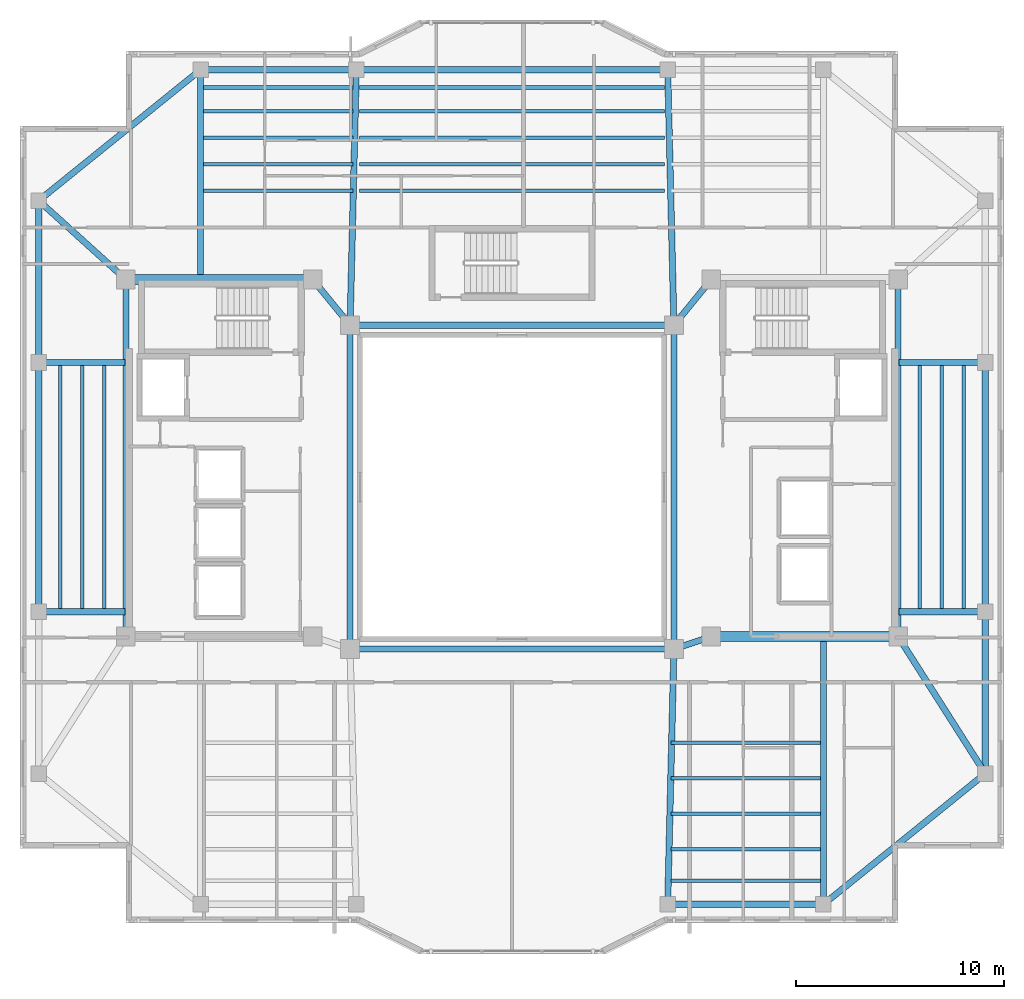
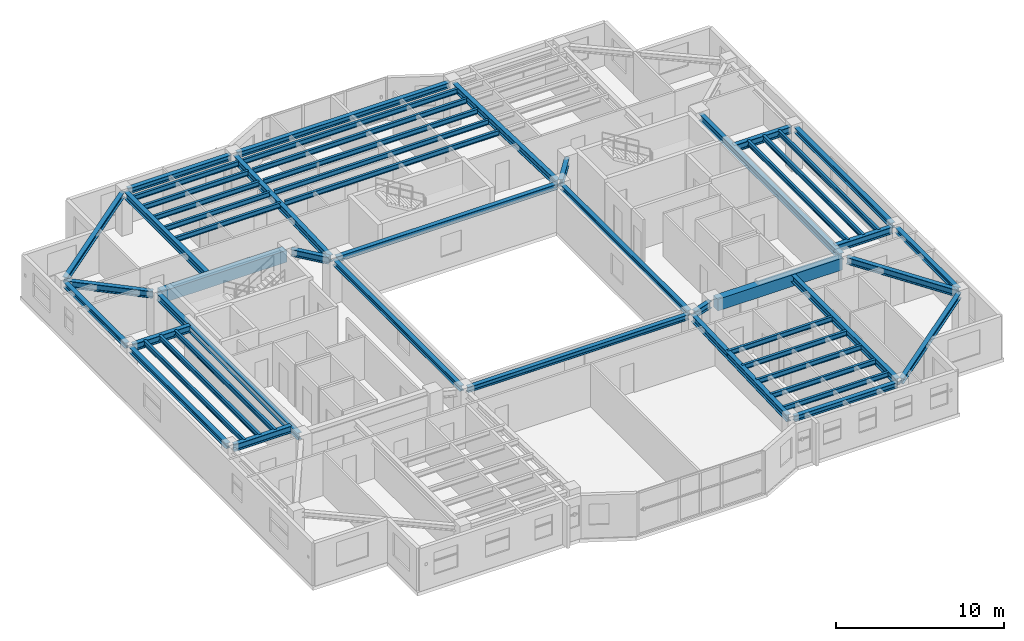
# One storey, part 3 of 13: 52 beams.
"""IFC4 building model written with IfcOpenShell, lengths in metres."""

from ifc_helpers import new_model, si_unit, direction, frame, origin, origin_2d, place, context, subcontext, project, spatial, rectangle, i_section, extrude, material, material_profile, profile_set, type_object, element, save


model = new_model("IFC4")

# Units and contexts
model_context = context("Model", 3, precision=1e-05, world=origin(), true_north=direction((0.0, 1.0)))
body_context = subcontext(model_context, "Body", "Model", "MODEL_VIEW")
ifc_project = project(units=[si_unit("LENGTHUNIT", "METRE"), si_unit("AREAUNIT", "SQUARE_METRE"), si_unit("VOLUMEUNIT", "CUBIC_METRE"), si_unit("PLANEANGLEUNIT", "RADIAN"), si_unit("MASSUNIT", "GRAM", prefix="KILO")], contexts=[model_context])

# Site, building, storey
site_placement = place(None, origin())
site = spatial("IfcSite", under=ifc_project, at=site_placement, CompositionType="ELEMENT")
building_placement = place(site_placement, origin())
building = spatial("IfcBuilding", under=site, at=building_placement, Name="Tarnavaz Court Tower", CompositionType="ELEMENT")
storey_placement = place(building_placement, frame((0.0, 0.0, 196.949951171875)))
storey = spatial("IfcBuildingStorey", under=building, at=storey_placement, Name="L53", CompositionType="ELEMENT", Elevation=196.949951171875)

# Beams
ifc_material_1 = material(Name="Concrete C50/60", Category="concrete")
ifc_material_profile_1 = material_profile(ifc_material_1, rectangle(XDim=0.5, YDim=0.85009765625, at=origin_2d()), Name="RC 500X850")
ifc_profile_set_1 = profile_set([ifc_material_profile_1], Name="Concrete C50/60")
beam_type_1 = type_object("IfcBeamType", Name="BM-CB850", PredefinedType="LINTEL", material=ifc_profile_set_1)
for number, where, z_axis, x_axis, name in (
    (1, (-18.3798828125, 10.0, 2.675048828125), (1.0, 0.0, 0.0), (0.0, 1.0, 0.0), "L53 Beam IN-CW-NO-CW-NI"),
    (2, (18.3798828125, -7.199951171875, 2.675048828125), (-1.0, 0.0, 0.0), (0.0, -1.0, 0.0), "L53 Beam IN-CE-SO-CE-SI"),
):
    element("IfcBeam", number, at=place(storey_placement, frame(where, z_axis=z_axis, x_axis=x_axis)), inside=storey, type_object=beam_type_1, Name=name, PredefinedType="LINTEL", context=body_context, shape_type="SweptSolid", body=[
        extrude(rectangle(XDim=0.5, YDim=0.85009765625, at=origin_2d()), origin(), (0.0, 0.0, 1.0), 8.559814453125),
    ])
ifc_material_2 = material(Name="Steel S355", Category="steel")
ifc_material_profile_2 = material_profile(ifc_material_2, i_section(OverallWidth=0.300048828125, OverallDepth=0.5, WebThickness=0.014404296875, FlangeThickness=0.028076171875, FilletRadius=0.027099609375, at=origin_2d()), Name="HEB 500")
ifc_profile_set_2 = profile_set([ifc_material_profile_2], Name="Steel S355")
beam_type_2 = type_object("IfcBeamType", Name="BM-G-HEB500", PredefinedType="USERDEFINED", material=ifc_profile_set_2)
beam_1_placement = place(storey_placement, frame((9.391357421875, -7.26953125, 2.85009765625), z_axis=(-0.948666544706, -0.316278021615, 0.0), x_axis=(0.316278021615, -0.948666544706, 0.0)))
element("IfcBeam", 3, at=beam_1_placement, inside=storey, type_object=beam_type_2, Name="L53 Beam IN-CE-SI-IW-SE", ObjectType="GIRDER", PredefinedType="USERDEFINED", context=body_context, shape_type="SweptSolid", body=[
    extrude(i_section(OverallWidth=0.300048828125, OverallDepth=0.5, WebThickness=0.014404296875, FlangeThickness=0.028076171875, FilletRadius=0.027099609375, at=origin_2d()), origin(), (0.0, 0.0, 1.0), 1.457275390625),
])
for number, where, z_axis, x_axis, name in (
    (4, (-9.460693359375, 9.82958984375, 2.85009765625), (0.633282058357, -0.773921077735, 0.0), (0.773921077735, 0.633282058357, 0.0), "L53 Beam IN-CW-NI-IW-NW"),
    (5, (9.460693359375, 9.82958984375, 2.85009765625), (-0.633282058357, -0.773921077735, 0.0), (0.773921077735, -0.633282058357, 0.0), "L53 Beam IN-CE-NI-IW-NE"),
):
    element("IfcBeam", number, at=place(storey_placement, frame(where, z_axis=z_axis, x_axis=x_axis)), inside=storey, type_object=beam_type_2, Name=name, ObjectType="GIRDER", PredefinedType="USERDEFINED", context=body_context, shape_type="SweptSolid", body=[
        extrude(i_section(OverallWidth=0.300048828125, OverallDepth=0.5, WebThickness=0.014404296875, FlangeThickness=0.028076171875, FilletRadius=0.027099609375, at=origin_2d()), origin(), (0.0, 0.0, 1.0), 2.402587890625),
    ])
for number, where, z_axis, x_axis, name in (
    (6, (-18.60009765625, -6.97998046875, 2.85009765625), (0.0, 1.0, 0.0), (-1.0, 0.0, 0.0), "L53 Beam IN-CW-SO-CW-NO"),
    (7, (18.60009765625, -6.97998046875, 2.85009765625), (0.0, 1.0, 0.0), (-1.0, 0.0, 0.0), "L53 Beam IN-CE-SO-CE-NO"),
):
    element("IfcBeam", number, at=place(storey_placement, frame(where, z_axis=z_axis, x_axis=x_axis)), inside=storey, type_object=beam_type_2, Name=name, ObjectType="GIRDER", PredefinedType="USERDEFINED", context=body_context, shape_type="SweptSolid", body=[
        extrude(i_section(OverallWidth=0.300048828125, OverallDepth=0.5, WebThickness=0.014404296875, FlangeThickness=0.028076171875, FilletRadius=0.027099609375, at=origin_2d()), origin(), (0.0, 0.0, 1.0), 16.760009765625),
    ])
beam_2_placement = place(storey_placement, frame((-15.0, 10.0400390625, 2.85009765625), z_axis=(0.0, 1.0, 0.0), x_axis=(-1.0, 0.0, 0.0)))
element("IfcBeam", 8, at=beam_2_placement, inside=storey, type_object=beam_type_2, Name="L53 Beam RG-01", ObjectType="GIRDER", PredefinedType="USERDEFINED", context=body_context, shape_type="SweptSolid", body=[
    extrude(i_section(OverallWidth=0.300048828125, OverallDepth=0.5, WebThickness=0.014404296875, FlangeThickness=0.028076171875, FilletRadius=0.027099609375, at=origin_2d()), origin(), (0.0, 0.0, 1.0), 9.83984375),
])
for number, where, z_axis, x_axis, name in (
    (9, (-7.794677734375, 8.02001953125, 2.85009765625), (0.024386002211, 0.99970261723, 0.0), (-0.99970261723, 0.024386002211, 0.0), "L53 Beam RG-02"),
    (10, (7.794677734375, 8.02001953125, 2.85009765625), (-0.024386002211, 0.99970261723, 0.0), (-0.99970261723, -0.024386002211, 0.0), "L53 Beam RG-03"),
    (11, (7.794677734375, -8.02001953125, 2.85009765625), (-0.024386002211, -0.99970261723, 0.0), (0.99970261723, -0.024386002211, 0.0), "L53 Beam RG-07"),
):
    element("IfcBeam", number, at=place(storey_placement, frame(where, z_axis=z_axis, x_axis=x_axis)), inside=storey, type_object=beam_type_2, Name=name, ObjectType="GIRDER", PredefinedType="USERDEFINED", context=body_context, shape_type="SweptSolid", body=[
        extrude(i_section(OverallWidth=0.300048828125, OverallDepth=0.5, WebThickness=0.014404296875, FlangeThickness=0.028076171875, FilletRadius=0.027099609375, at=origin_2d()), origin(), (0.0, 0.0, 1.0), 11.863525390625),
    ])
beam_3_placement = place(storey_placement, frame((15.0, -7.239990234375, 2.85009765625), z_axis=(0.0, -1.0, 0.0), x_axis=(1.0, 0.0, 0.0)))
element("IfcBeam", 12, at=beam_3_placement, inside=storey, type_object=beam_type_2, Name="L53 Beam RG-08", ObjectType="GIRDER", PredefinedType="USERDEFINED", context=body_context, shape_type="SweptSolid", body=[
    extrude(i_section(OverallWidth=0.300048828125, OverallDepth=0.5, WebThickness=0.014404296875, FlangeThickness=0.028076171875, FilletRadius=0.027099609375, at=origin_2d()), origin(), (0.0, 0.0, 1.0), 12.639892578125),
])
for number, where, z_axis, x_axis, name in (
    (13, (18.639892578125, -6.0, 2.85009765625), (1.0, 0.0, 0.0), (0.0, 1.0, 0.0), "L53 Beam RG-09"),
    (14, (18.639892578125, 6.0, 2.85009765625), (1.0, 0.0, 0.0), (0.0, 1.0, 0.0), "L53 Beam RG-10"),
):
    element("IfcBeam", number, at=place(storey_placement, frame(where, z_axis=z_axis, x_axis=x_axis)), inside=storey, type_object=beam_type_2, Name=name, ObjectType="GIRDER", PredefinedType="USERDEFINED", context=body_context, shape_type="SweptSolid", body=[
        extrude(i_section(OverallWidth=0.300048828125, OverallDepth=0.5, WebThickness=0.014404296875, FlangeThickness=0.028076171875, FilletRadius=0.027099609375, at=origin_2d()), origin(), (0.0, 0.0, 1.0), 3.940185546875),
    ])
beam_4_placement = place(storey_placement, frame((18.718017578125, -7.385498046875, 2.85009765625), z_axis=(0.536871212964, -0.843664210863, 0.0), x_axis=(0.843664210863, 0.536871212964, 0.0)))
element("IfcBeam", 15, at=beam_4_placement, inside=storey, type_object=beam_type_2, Name="L53 Beam RG-11", ObjectType="GIRDER", PredefinedType="USERDEFINED", context=body_context, shape_type="SweptSolid", body=[
    extrude(i_section(OverallWidth=0.300048828125, OverallDepth=0.5, WebThickness=0.014404296875, FlangeThickness=0.028076171875, FilletRadius=0.027099609375, at=origin_2d()), origin(), (0.0, 0.0, 1.0), 7.38330078125),
])
for number, where, z_axis, x_axis, name in (
    (16, (-18.639892578125, -6.0, 2.85009765625), (-1.0, 0.0, 0.0), (0.0, -1.0, 0.0), "L53 Beam RG-13"),
    (17, (-18.639892578125, 6.0, 2.85009765625), (-1.0, 0.0, 0.0), (0.0, -1.0, 0.0), "L53 Beam RG-14"),
):
    element("IfcBeam", number, at=place(storey_placement, frame(where, z_axis=z_axis, x_axis=x_axis)), inside=storey, type_object=beam_type_2, Name=name, ObjectType="GIRDER", PredefinedType="USERDEFINED", context=body_context, shape_type="SweptSolid", body=[
        extrude(i_section(OverallWidth=0.300048828125, OverallDepth=0.5, WebThickness=0.014404296875, FlangeThickness=0.028076171875, FilletRadius=0.027099609375, at=origin_2d()), origin(), (0.0, 0.0, 1.0), 3.940185546875),
    ])
beam_5_placement = place(storey_placement, frame((-18.76318359375, 10.147705078125, 2.85009765625), z_axis=(-0.741555708494, 0.670891296113, 0.0), x_axis=(-0.670891296113, -0.741555708494, 0.0)))
element("IfcBeam", 18, at=beam_5_placement, inside=storey, type_object=beam_type_2, Name="L53 Beam RG-16", ObjectType="GIRDER", PredefinedType="USERDEFINED", context=body_context, shape_type="SweptSolid", body=[
    extrude(i_section(OverallWidth=0.300048828125, OverallDepth=0.5, WebThickness=0.014404296875, FlangeThickness=0.028076171875, FilletRadius=0.027099609375, at=origin_2d()), origin(), (0.0, 0.0, 1.0), 5.223876953125),
])
ifc_material_profile_3 = material_profile(ifc_material_2, i_section(OverallWidth=0.169921875, OverallDepth=0.360107421875, WebThickness=0.008056640625, FlangeThickness=0.0126953125, FilletRadius=0.01806640625, at=origin_2d()), Name="IPE 360")
ifc_profile_set_3 = profile_set([ifc_material_profile_3], Name="Steel S355")
beam_type_3 = type_object("IfcBeamType", Name="BM-J-IPE360", PredefinedType="JOIST", material=ifc_profile_set_3)
beam_6_placement = place(storey_placement, frame((-14.85009765625, 14.278076171875, 2.920166015625), z_axis=(1.0, 0.0, 0.0), x_axis=(0.0, 1.0, 0.0)))
element("IfcBeam", 19, at=beam_6_placement, inside=storey, type_object=beam_type_3, Name="L53 Beam JN1-1", PredefinedType="JOIST", context=body_context, shape_type="SweptSolid", body=[
    extrude(i_section(OverallWidth=0.169921875, OverallDepth=0.360107421875, WebThickness=0.008056640625, FlangeThickness=0.0126953125, FilletRadius=0.01806640625, at=origin_2d()), origin(), (0.0, 0.0, 1.0), 7.2001953125),
])
beam_7_placement = place(storey_placement, frame((-7.35009765625, 14.278076171875, 2.920166015625), z_axis=(1.0, 0.0, 0.0), x_axis=(0.0, 1.0, 0.0)))
element("IfcBeam", 20, at=beam_7_placement, inside=storey, type_object=beam_type_3, Name="L53 Beam JN1-2", PredefinedType="JOIST", context=body_context, shape_type="SweptSolid", body=[
    extrude(i_section(OverallWidth=0.169921875, OverallDepth=0.360107421875, WebThickness=0.008056640625, FlangeThickness=0.0126953125, FilletRadius=0.01806640625, at=origin_2d()), origin(), (0.0, 0.0, 1.0), 14.7001953125),
])
for number, where, z_axis, x_axis, name in (
    (21, (7.64990234375, -12.31005859375, 2.920166015625), (1.0, 0.0, 0.0), (0.0, 1.0, 0.0), "L53 Beam JS1-2"),
    (22, (-14.85009765625, 15.555908203125, 2.920166015625), (1.0, 0.0, 0.0), (0.0, 1.0, 0.0), "L53 Beam JN2-1"),
):
    element("IfcBeam", number, at=place(storey_placement, frame(where, z_axis=z_axis, x_axis=x_axis)), inside=storey, type_object=beam_type_3, Name=name, PredefinedType="JOIST", context=body_context, shape_type="SweptSolid", body=[
        extrude(i_section(OverallWidth=0.169921875, OverallDepth=0.360107421875, WebThickness=0.008056640625, FlangeThickness=0.0126953125, FilletRadius=0.01806640625, at=origin_2d()), origin(), (0.0, 0.0, 1.0), 7.2001953125),
    ])
beam_8_placement = place(storey_placement, frame((-7.35009765625, 15.555908203125, 2.920166015625), z_axis=(1.0, 0.0, 0.0), x_axis=(0.0, 1.0, 0.0)))
element("IfcBeam", 23, at=beam_8_placement, inside=storey, type_object=beam_type_3, Name="L53 Beam JN2-2", PredefinedType="JOIST", context=body_context, shape_type="SweptSolid", body=[
    extrude(i_section(OverallWidth=0.169921875, OverallDepth=0.360107421875, WebThickness=0.008056640625, FlangeThickness=0.0126953125, FilletRadius=0.01806640625, at=origin_2d()), origin(), (0.0, 0.0, 1.0), 14.7001953125),
])
for number, where, z_axis, x_axis, name in (
    (24, (7.64990234375, -14.02001953125, 2.920166015625), (1.0, 0.0, 0.0), (0.0, 1.0, 0.0), "L53 Beam JS2-2"),
    (25, (-14.85009765625, 16.833984375, 2.920166015625), (1.0, 0.0, 0.0), (0.0, 1.0, 0.0), "L53 Beam JN3-1"),
):
    element("IfcBeam", number, at=place(storey_placement, frame(where, z_axis=z_axis, x_axis=x_axis)), inside=storey, type_object=beam_type_3, Name=name, PredefinedType="JOIST", context=body_context, shape_type="SweptSolid", body=[
        extrude(i_section(OverallWidth=0.169921875, OverallDepth=0.360107421875, WebThickness=0.008056640625, FlangeThickness=0.0126953125, FilletRadius=0.01806640625, at=origin_2d()), origin(), (0.0, 0.0, 1.0), 7.2001953125),
    ])
beam_9_placement = place(storey_placement, frame((-7.35009765625, 16.833984375, 2.920166015625), z_axis=(1.0, 0.0, 0.0), x_axis=(0.0, 1.0, 0.0)))
element("IfcBeam", 26, at=beam_9_placement, inside=storey, type_object=beam_type_3, Name="L53 Beam JN3-2", PredefinedType="JOIST", context=body_context, shape_type="SweptSolid", body=[
    extrude(i_section(OverallWidth=0.169921875, OverallDepth=0.360107421875, WebThickness=0.008056640625, FlangeThickness=0.0126953125, FilletRadius=0.01806640625, at=origin_2d()), origin(), (0.0, 0.0, 1.0), 14.7001953125),
])
for number, where, z_axis, x_axis, name in (
    (27, (7.64990234375, -15.72998046875, 2.920166015625), (1.0, 0.0, 0.0), (0.0, 1.0, 0.0), "L53 Beam JS3-2"),
    (28, (-14.85009765625, 18.112060546875, 2.920166015625), (1.0, 0.0, 0.0), (0.0, 1.0, 0.0), "L53 Beam JN4-1"),
):
    element("IfcBeam", number, at=place(storey_placement, frame(where, z_axis=z_axis, x_axis=x_axis)), inside=storey, type_object=beam_type_3, Name=name, PredefinedType="JOIST", context=body_context, shape_type="SweptSolid", body=[
        extrude(i_section(OverallWidth=0.169921875, OverallDepth=0.360107421875, WebThickness=0.008056640625, FlangeThickness=0.0126953125, FilletRadius=0.01806640625, at=origin_2d()), origin(), (0.0, 0.0, 1.0), 7.2001953125),
    ])
beam_10_placement = place(storey_placement, frame((-7.35009765625, 18.112060546875, 2.920166015625), z_axis=(1.0, 0.0, 0.0), x_axis=(0.0, 1.0, 0.0)))
element("IfcBeam", 29, at=beam_10_placement, inside=storey, type_object=beam_type_3, Name="L53 Beam JN4-2", PredefinedType="JOIST", context=body_context, shape_type="SweptSolid", body=[
    extrude(i_section(OverallWidth=0.169921875, OverallDepth=0.360107421875, WebThickness=0.008056640625, FlangeThickness=0.0126953125, FilletRadius=0.01806640625, at=origin_2d()), origin(), (0.0, 0.0, 1.0), 14.7001953125),
])
for number, where, z_axis, x_axis, name in (
    (30, (7.64990234375, -17.43994140625, 2.920166015625), (1.0, 0.0, 0.0), (0.0, 1.0, 0.0), "L53 Beam JS4-2"),
    (31, (-14.85009765625, 19.248046875, 2.920166015625), (1.0, 0.0, 0.0), (0.0, 1.0, 0.0), "L53 Beam JN5-1"),
):
    element("IfcBeam", number, at=place(storey_placement, frame(where, z_axis=z_axis, x_axis=x_axis)), inside=storey, type_object=beam_type_3, Name=name, PredefinedType="JOIST", context=body_context, shape_type="SweptSolid", body=[
        extrude(i_section(OverallWidth=0.169921875, OverallDepth=0.360107421875, WebThickness=0.008056640625, FlangeThickness=0.0126953125, FilletRadius=0.01806640625, at=origin_2d()), origin(), (0.0, 0.0, 1.0), 7.2001953125),
    ])
beam_11_placement = place(storey_placement, frame((-7.35009765625, 19.248046875, 2.920166015625), z_axis=(1.0, 0.0, 0.0), x_axis=(0.0, 1.0, 0.0)))
element("IfcBeam", 32, at=beam_11_placement, inside=storey, type_object=beam_type_3, Name="L53 Beam JN5-2", PredefinedType="JOIST", context=body_context, shape_type="SweptSolid", body=[
    extrude(i_section(OverallWidth=0.169921875, OverallDepth=0.360107421875, WebThickness=0.008056640625, FlangeThickness=0.0126953125, FilletRadius=0.01806640625, at=origin_2d()), origin(), (0.0, 0.0, 1.0), 14.7001953125),
])
beam_12_placement = place(storey_placement, frame((7.64990234375, -18.9599609375, 2.920166015625), z_axis=(1.0, 0.0, 0.0), x_axis=(0.0, 1.0, 0.0)))
element("IfcBeam", 33, at=beam_12_placement, inside=storey, type_object=beam_type_3, Name="L53 Beam JS5-2", PredefinedType="JOIST", context=body_context, shape_type="SweptSolid", body=[
    extrude(i_section(OverallWidth=0.169921875, OverallDepth=0.360107421875, WebThickness=0.008056640625, FlangeThickness=0.0126953125, FilletRadius=0.01806640625, at=origin_2d()), origin(), (0.0, 0.0, 1.0), 7.2001953125),
])
for number, where, z_axis, x_axis, name in (
    (34, (19.64990234375, -5.9599609375, 2.920166015625), (0.0, 1.0, 0.0), (-1.0, 0.0, 0.0), "L53 Beam JE1"),
    (35, (-19.64990234375, -5.9599609375, 2.920166015625), (0.0, 1.0, 0.0), (-1.0, 0.0, 0.0), "L53 Beam JW1"),
    (36, (20.699951171875, -5.9599609375, 2.920166015625), (0.0, 1.0, 0.0), (-1.0, 0.0, 0.0), "L53 Beam JE2"),
    (37, (-20.699951171875, -5.9599609375, 2.920166015625), (0.0, 1.0, 0.0), (-1.0, 0.0, 0.0), "L53 Beam JW2"),
    (38, (21.75, -5.9599609375, 2.920166015625), (0.0, 1.0, 0.0), (-1.0, 0.0, 0.0), "L53 Beam JE3"),
    (39, (-21.75, -5.9599609375, 2.920166015625), (0.0, 1.0, 0.0), (-1.0, 0.0, 0.0), "L53 Beam JW3"),
):
    element("IfcBeam", number, at=place(storey_placement, frame(where, z_axis=z_axis, x_axis=x_axis)), inside=storey, type_object=beam_type_3, Name=name, PredefinedType="JOIST", context=body_context, shape_type="SweptSolid", body=[
        extrude(i_section(OverallWidth=0.169921875, OverallDepth=0.360107421875, WebThickness=0.008056640625, FlangeThickness=0.0126953125, FilletRadius=0.01806640625, at=origin_2d()), origin(), (0.0, 0.0, 1.0), 11.919921875),
    ])
ifc_material_profile_4 = material_profile(ifc_material_2, i_section(OverallWidth=0.300048828125, OverallDepth=0.389892578125, WebThickness=0.010986328125, FlangeThickness=0.01904296875, FilletRadius=0.027099609375, at=origin_2d()), Name="HEA 400")
ifc_profile_set_4 = profile_set([ifc_material_profile_4], Name="Steel S355")
beam_type_4 = type_object("IfcBeamType", Name="BM-SP-HEA400", PredefinedType="BEAM", material=ifc_profile_set_4)
for number, where, z_axis, x_axis, name in (
    (40, (-7.580078125, -7.800048828125, 2.905029296875), (1.0, 0.0, 0.0), (0.0, 1.0, 0.0), "L53 Beam IN-IW-SW-IW-SE"),
    (41, (-7.580078125, 7.800048828125, 2.905029296875), (1.0, 0.0, 0.0), (0.0, 1.0, 0.0), "L53 Beam IN-IW-NW-IW-NE"),
    (42, (-7.800048828125, -7.580078125, 2.905029296875), (0.0, 1.0, 0.0), (-1.0, 0.0, 0.0), "L53 Beam IN-IW-SW-IW-NW"),
    (43, (7.800048828125, -7.580078125, 2.905029296875), (0.0, 1.0, 0.0), (-1.0, 0.0, 0.0), "L53 Beam IN-IW-SE-IW-NE"),
):
    element("IfcBeam", number, at=place(storey_placement, frame(where, z_axis=z_axis, x_axis=x_axis)), inside=storey, type_object=beam_type_4, Name=name, PredefinedType="BEAM", context=body_context, shape_type="SweptSolid", body=[
        extrude(i_section(OverallWidth=0.300048828125, OverallDepth=0.389892578125, WebThickness=0.010986328125, FlangeThickness=0.01904296875, FilletRadius=0.027099609375, at=origin_2d()), origin(), (0.0, 0.0, 1.0), 15.16015625),
    ])
beam_13_placement = place(storey_placement, frame((-14.780029296875, 20.10009765625, 2.905029296875), z_axis=(1.0, 0.0, 0.0), x_axis=(0.0, 1.0, 0.0)))
element("IfcBeam", 44, at=beam_13_placement, inside=storey, type_object=beam_type_4, Name="L53 Beam PR-PN-1-PN-2", PredefinedType="BEAM", context=body_context, shape_type="SweptSolid", body=[
    extrude(i_section(OverallWidth=0.300048828125, OverallDepth=0.389892578125, WebThickness=0.010986328125, FlangeThickness=0.01904296875, FilletRadius=0.027099609375, at=origin_2d()), origin(), (0.0, 0.0, 1.0), 7.06005859375),
])
beam_14_placement = place(storey_placement, frame((-7.280029296875, 20.10009765625, 2.905029296875), z_axis=(1.0, 0.0, 0.0), x_axis=(0.0, 1.0, 0.0)))
element("IfcBeam", 45, at=beam_14_placement, inside=storey, type_object=beam_type_4, Name="L53 Beam PR-PN-2-PN-3", PredefinedType="BEAM", context=body_context, shape_type="SweptSolid", body=[
    extrude(i_section(OverallWidth=0.300048828125, OverallDepth=0.389892578125, WebThickness=0.010986328125, FlangeThickness=0.01904296875, FilletRadius=0.027099609375, at=origin_2d()), origin(), (0.0, 0.0, 1.0), 14.56005859375),
])
beam_15_placement = place(storey_placement, frame((7.719970703125, -20.10009765625, 2.905029296875), z_axis=(1.0, 0.0, 0.0), x_axis=(0.0, 1.0, 0.0)))
element("IfcBeam", 46, at=beam_15_placement, inside=storey, type_object=beam_type_4, Name="L53 Beam PR-PS-3-PS-4", PredefinedType="BEAM", context=body_context, shape_type="SweptSolid", body=[
    extrude(i_section(OverallWidth=0.300048828125, OverallDepth=0.389892578125, WebThickness=0.010986328125, FlangeThickness=0.01904296875, FilletRadius=0.027099609375, at=origin_2d()), origin(), (0.0, 0.0, 1.0), 7.06005859375),
])
beam_16_placement = place(storey_placement, frame((22.800048828125, -13.580078125, 2.905029296875), z_axis=(0.0, 1.0, 0.0), x_axis=(-1.0, 0.0, 0.0)))
element("IfcBeam", 47, at=beam_16_placement, inside=storey, type_object=beam_type_4, Name="L53 Beam PR-PE-1-PE-2", PredefinedType="BEAM", context=body_context, shape_type="SweptSolid", body=[
    extrude(i_section(OverallWidth=0.300048828125, OverallDepth=0.389892578125, WebThickness=0.010986328125, FlangeThickness=0.01904296875, FilletRadius=0.027099609375, at=origin_2d()), origin(), (0.0, 0.0, 1.0), 7.360107421875),
])
for number, where, z_axis, x_axis, name in (
    (48, (22.800048828125, -5.780029296875, 2.905029296875), (0.0, 1.0, 0.0), (-1.0, 0.0, 0.0), "L53 Beam PR-PE-2-PE-3"),
    (49, (-22.800048828125, -5.780029296875, 2.905029296875), (0.0, 1.0, 0.0), (-1.0, 0.0, 0.0), "L53 Beam PR-PW-2-PW-3"),
):
    element("IfcBeam", number, at=place(storey_placement, frame(where, z_axis=z_axis, x_axis=x_axis)), inside=storey, type_object=beam_type_4, Name=name, PredefinedType="BEAM", context=body_context, shape_type="SweptSolid", body=[
        extrude(i_section(OverallWidth=0.300048828125, OverallDepth=0.389892578125, WebThickness=0.010986328125, FlangeThickness=0.01904296875, FilletRadius=0.027099609375, at=origin_2d()), origin(), (0.0, 0.0, 1.0), 11.56005859375),
    ])
beam_17_placement = place(storey_placement, frame((-22.800048828125, 6.219970703125, 2.905029296875), z_axis=(0.0, 1.0, 0.0), x_axis=(-1.0, 0.0, 0.0)))
element("IfcBeam", 50, at=beam_17_placement, inside=storey, type_object=beam_type_4, Name="L53 Beam PR-PW-3-PW-4", PredefinedType="BEAM", context=body_context, shape_type="SweptSolid", body=[
    extrude(i_section(OverallWidth=0.300048828125, OverallDepth=0.389892578125, WebThickness=0.010986328125, FlangeThickness=0.01904296875, FilletRadius=0.027099609375, at=origin_2d()), origin(), (0.0, 0.0, 1.0), 7.360107421875),
])
for number, where, z_axis, x_axis, name in (
    (51, (22.62890625, -13.938232421875, 2.905029296875), (-0.777935913531, -0.628343627674, 0.0), (0.628343627674, -0.777935913531, 0.0), "L53 Beam PR-PE-1-PS-4"),
    (52, (-22.62890625, 13.938232421875, 2.905029296875), (0.777935913531, 0.628343627674, 0.0), (-0.628343627674, 0.777935913531, 0.0), "L53 Beam PR-PW-4-PN-1"),
):
    element("IfcBeam", number, at=place(storey_placement, frame(where, z_axis=z_axis, x_axis=x_axis)), inside=storey, type_object=beam_type_4, Name=name, PredefinedType="BEAM", context=body_context, shape_type="SweptSolid", body=[
        extrude(i_section(OverallWidth=0.300048828125, OverallDepth=0.389892578125, WebThickness=0.010986328125, FlangeThickness=0.01904296875, FilletRadius=0.027099609375, at=origin_2d()), origin(), (0.0, 0.0, 1.0), 9.586669921875),
    ])

save(model, "model.ifc")
